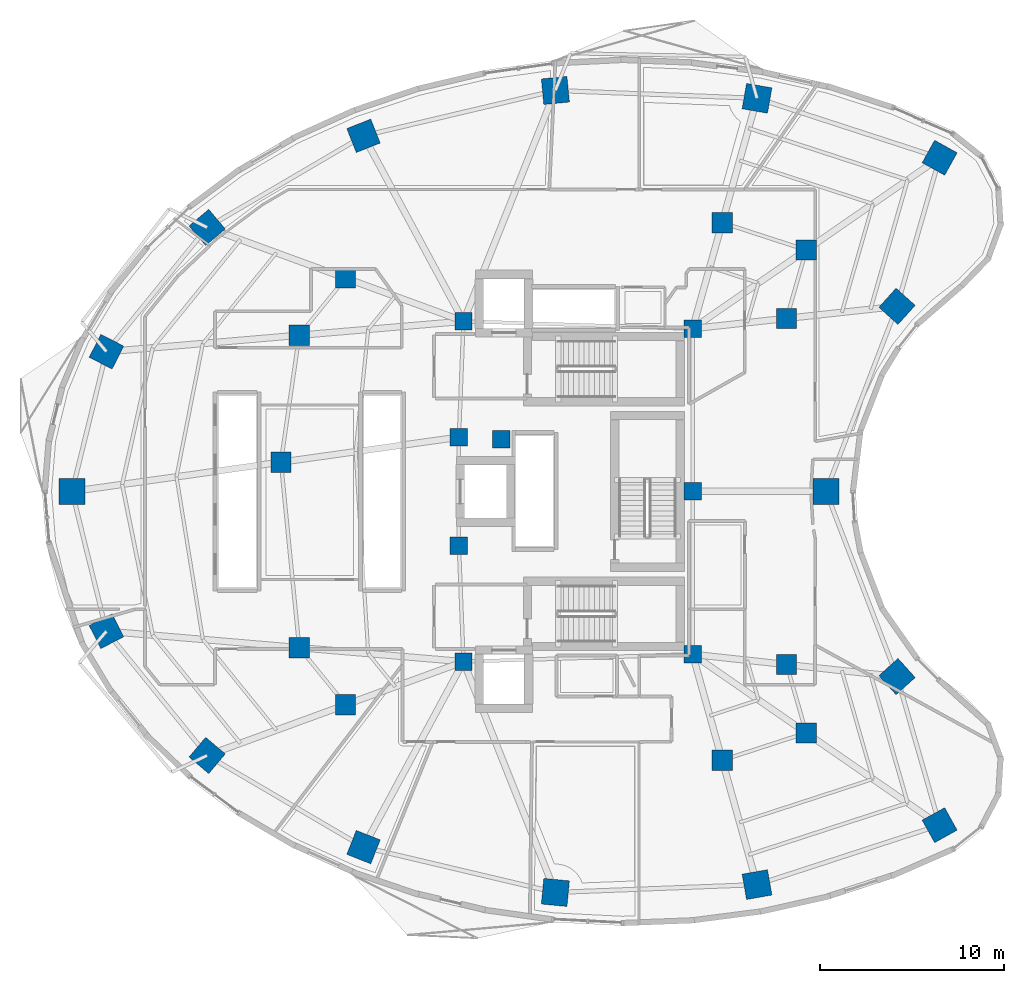
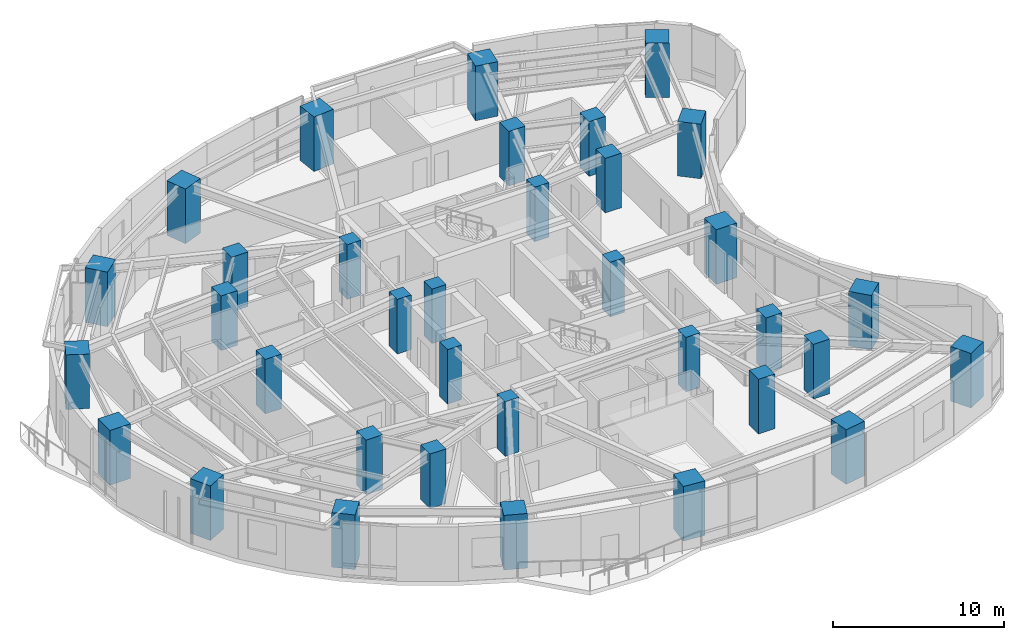
# One storey, part 1 of 15: 35 columns.
"""IFC4 building model written with IfcOpenShell, lengths in metres."""

from ifc_helpers import new_model, si_unit, direction, frame, origin, origin_2d, place, context, subcontext, project, spatial, rectangle, extrude, material, material_profile, profile_set, type_object, element, save


model = new_model("IFC4")

# Units and contexts
model_context = context("Model", 3, precision=1e-05, world=origin(), true_north=direction((0.0, 1.0)))
body_context = subcontext(model_context, "Body", "Model", "MODEL_VIEW")
ifc_project = project(units=[si_unit("LENGTHUNIT", "METRE"), si_unit("AREAUNIT", "SQUARE_METRE"), si_unit("VOLUMEUNIT", "CUBIC_METRE"), si_unit("PLANEANGLEUNIT", "RADIAN"), si_unit("MASSUNIT", "GRAM", prefix="KILO")], contexts=[model_context])

# Site, building, storey
site_placement = place(None, origin())
site = spatial("IfcSite", under=ifc_project, at=site_placement, CompositionType="ELEMENT")
building_placement = place(site_placement, origin())
building = spatial("IfcBuilding", under=site, at=building_placement, Name="Korentha Bioscience Tower", CompositionType="ELEMENT")
storey_placement = place(building_placement, frame((0.0, 0.0, 42.60009765625)))
storey = spatial("IfcBuildingStorey", under=building, at=storey_placement, Name="L09", CompositionType="ELEMENT", Elevation=42.60009765625)

# Columns
ifc_material_1 = material(Name="Concrete C65", Category="concrete")
ifc_material_profile_1 = material_profile(ifc_material_1, rectangle(XDim=0.949951171875, YDim=0.949951171875, at=origin_2d()), Name="Concrete C65")
ifc_profile_set_1 = profile_set([ifc_material_profile_1], Name="Concrete C65 (COL-CP09)")
column_type_1 = type_object("IfcColumnType", Name="Core Pilaster Column RC 950x950", PredefinedType="PILASTER", material=ifc_profile_set_1)
for number, where, z_axis, x_axis, name in (
    (1, (37.550048828125, 35.85009765625, -0.00048828125), (0.0, 0.0, 1.0), (1.0, 0.0, 0.0), "L09 Core Pilaster CP-01"),
    (2, (25.10009765625, 36.25, -0.00048828125), (0.0, 0.0, 1.0), (1.0, 0.0, 0.0), "L09 Core Pilaster CP-02"),
    (3, (24.85009765625, 29.949951171875, -0.00048828125), (0.0, 0.0, 1.0), (1.0, 0.0, 0.0), "L09 Core Pilaster CP-03"),
    (4, (27.14990234375, 29.85009765625, -0.00048828125), (0.0, 0.0, 1.0), (1.0, 0.0, 0.0), "L09 Core Pilaster CP-04"),
    (5, (24.85009765625, 24.050048828125, -0.00048828125), (0.0, 0.0, 1.0), (1.0, 0.0, 0.0), "L09 Core Pilaster CP-05"),
    (6, (25.10009765625, 17.75, -0.00048828125), (0.0, 0.0, 1.0), (1.0, 0.0, 0.0), "L09 Core Pilaster CP-06"),
    (7, (37.550048828125, 18.14990234375, -0.00048828125), (0.0, 0.0, 1.0), (1.0, 0.0, 0.0), "L09 Core Pilaster CP-07"),
    (8, (37.550048828125, 27.0, -0.00048828125), (0.0, 0.0, 1.0), (1.0, 0.0, 0.0), "L09 Core Pilaster CP-08"),
):
    element("IfcColumn", number, at=place(storey_placement, frame(where, z_axis=z_axis, x_axis=x_axis)), inside=storey, type_object=column_type_1, Name=name, PredefinedType="PILASTER", context=body_context, shape_type="SweptSolid", body=[
        extrude(rectangle(XDim=0.949951171875, YDim=0.949951171875, at=origin_2d()), origin(), (0.0, 0.0, 1.0), 3.90087890625),
    ])
ifc_material_2 = material(Name="Concrete C80", Category="concrete")
ifc_material_profile_2 = material_profile(ifc_material_2, rectangle(XDim=1.10009765625, YDim=1.10009765625, at=origin_2d()), Name="Concrete C80")
ifc_profile_set_2 = profile_set([ifc_material_profile_2], Name="Concrete C80 (COL-MR11)")
column_type_2 = type_object("IfcColumnType", Name="Mid-Ring Lab Column RC 1100x1100", PredefinedType="COLUMN", material=ifc_profile_set_2)
for number, where, z_axis, x_axis, name in (
    (9, (43.7265625, 40.121337890625, -0.00048828125), (0.0, 0.0, 1.0), (1.0, 0.0, 0.0), "L09 Mid-Ring Column 01"),
    (10, (39.1611328125, 41.607666015625, -0.00048828125), (0.0, 0.0, 1.0), (1.0, 0.0, 0.0), "L09 Mid-Ring Column 02"),
    (11, (18.692138671875, 38.5947265625, -0.00048828125), (0.0, 0.0, 1.0), (1.0, 0.0, 0.0), "L09 Mid-Ring Column 05"),
    (12, (16.174072265625, 35.489013671875, -0.00048828125), (0.0, 0.0, 1.0), (1.0, 0.0, 0.0), "L09 Mid-Ring Column 06"),
    (13, (15.1787109375, 28.593505859375, -0.00048828125), (0.0, 0.0, 1.0), (1.0, 0.0, 0.0), "L09 Mid-Ring Column 07"),
    (14, (16.174072265625, 18.510986328125, -0.00048828125), (0.0, 0.0, 1.0), (1.0, 0.0, 0.0), "L09 Mid-Ring Column 08"),
    (15, (18.692138671875, 15.4052734375, -0.00048828125), (0.0, 0.0, 1.0), (1.0, 0.0, 0.0), "L09 Mid-Ring Column 09"),
    (16, (39.1611328125, 12.392333984375, -0.00048828125), (0.0, 0.0, 1.0), (1.0, 0.0, 0.0), "L09 Mid-Ring Column 12"),
    (17, (43.7265625, 13.878662109375, -0.00048828125), (0.0, 0.0, 1.0), (1.0, 0.0, 0.0), "L09 Mid-Ring Column 13"),
    (18, (42.66162109375, 17.593017578125, -0.00048828125), (0.0, 0.0, 1.0), (1.0, 0.0, 0.0), "L09 Mid-Ring Column 14"),
    (19, (42.66162109375, 36.406982421875, -0.00048828125), (0.0, 0.0, 1.0), (1.0, 0.0, 0.0), "L09 Mid-Ring Column 16"),
):
    element("IfcColumn", number, at=place(storey_placement, frame(where, z_axis=z_axis, x_axis=x_axis)), inside=storey, type_object=column_type_2, Name=name, PredefinedType="COLUMN", context=body_context, shape_type="SweptSolid", body=[
        extrude(rectangle(XDim=1.10009765625, YDim=1.10009765625, at=origin_2d()), origin(), (0.0, 0.0, 1.0), 3.90087890625),
    ])
ifc_material_profile_3 = material_profile(ifc_material_2, rectangle(XDim=1.39990234375, YDim=1.39990234375, at=origin_2d()), Name="Concrete C80")
ifc_profile_set_3 = profile_set([ifc_material_profile_3], Name="Concrete C80 (COL-P14)")
column_type_3 = type_object("IfcColumnType", Name="Perimeter Column RC 1400x1400", PredefinedType="COLUMN", material=ifc_profile_set_3)
for number, where, z_axis, x_axis, name in (
    (20, (50.977294921875, 45.135498046875, -0.00048828125), (0.0, 0.0, 1.0), (-0.874535078577, 0.484962262797, 0.0), "L09 Perimeter Column 01"),
    (21, (41.052490234375, 48.36669921875, -0.00048828125), (0.0, 0.0, 1.0), (-0.984868307662, 0.173304404339, 0.0), "L09 Perimeter Column 02"),
    (22, (30.09423828125, 48.79248046875, -0.00048828125), (0.0, 0.0, 1.0), (0.995462868748, 0.095150811579, 0.0), "L09 Perimeter Column 03"),
    (23, (19.66650390625, 46.328857421875, -0.00048828125), (0.0, 0.0, 1.0), (0.930225540858, 0.366988341962, 0.0), "L09 Perimeter Column 04"),
    (24, (11.169921875, 41.34716796875, -0.00048828125), (0.0, 0.0, 1.0), (0.764246456939, 0.644924300253, 0.0), "L09 Perimeter Column 05"),
    (25, (5.69580078125, 34.595703125, -0.00048828125), (0.0, 0.0, 1.0), (0.453057191132, 0.891481453292, 0.0), "L09 Perimeter Column 06"),
    (26, (3.825439453125, 27.000732421875, -0.00048828125), (0.0, 0.0, 1.0), (0.0, 1.0, 0.0), "L09 Perimeter Column 07"),
    (27, (5.69580078125, 19.404296875, -0.00048828125), (0.0, 0.0, 1.0), (-0.453057191132, 0.891481453292, 0.0), "L09 Perimeter Column 08"),
    (28, (11.169921875, 12.65283203125, -0.00048828125), (0.0, 0.0, 1.0), (-0.764246456939, 0.644924300253, 0.0), "L09 Perimeter Column 09"),
    (29, (19.66650390625, 7.671142578125, -0.00048828125), (0.0, 0.0, 1.0), (-0.930225540858, 0.366988341962, 0.0), "L09 Perimeter Column 10"),
    (30, (30.09423828125, 5.20751953125, -0.00048828125), (0.0, 0.0, 1.0), (-0.995462868748, 0.095150811579, 0.0), "L09 Perimeter Column 11"),
    (31, (41.052490234375, 5.63330078125, -0.00048828125), (0.0, 0.0, 1.0), (0.984868307662, 0.173304404339, 0.0), "L09 Perimeter Column 12"),
    (32, (50.977294921875, 8.864501953125, -0.00048828125), (0.0, 0.0, 1.0), (0.874535078577, 0.484962262797, 0.0), "L09 Perimeter Column 13"),
    (33, (48.661865234375, 16.939208984375, -0.00048828125), (0.0, 0.0, 1.0), (-0.669130606359, 0.743144825477, 0.0), "L09 Perimeter Column 14"),
    (34, (44.798583984375, 27.0, -0.00048828125), (0.0, 0.0, 1.0), (0.0, 1.0, 0.0), "L09 Perimeter Column 15"),
    (35, (48.661865234375, 37.060791015625, -0.00048828125), (0.0, 0.0, 1.0), (0.669130606359, 0.743144825477, 0.0), "L09 Perimeter Column 16"),
):
    element("IfcColumn", number, at=place(storey_placement, frame(where, z_axis=z_axis, x_axis=x_axis)), inside=storey, type_object=column_type_3, Name=name, PredefinedType="COLUMN", context=body_context, shape_type="SweptSolid", body=[
        extrude(rectangle(XDim=1.39990234375, YDim=1.39990234375, at=origin_2d()), origin(), (0.0, 0.0, 1.0), 3.90087890625),
    ])

save(model, "model.ifc")
